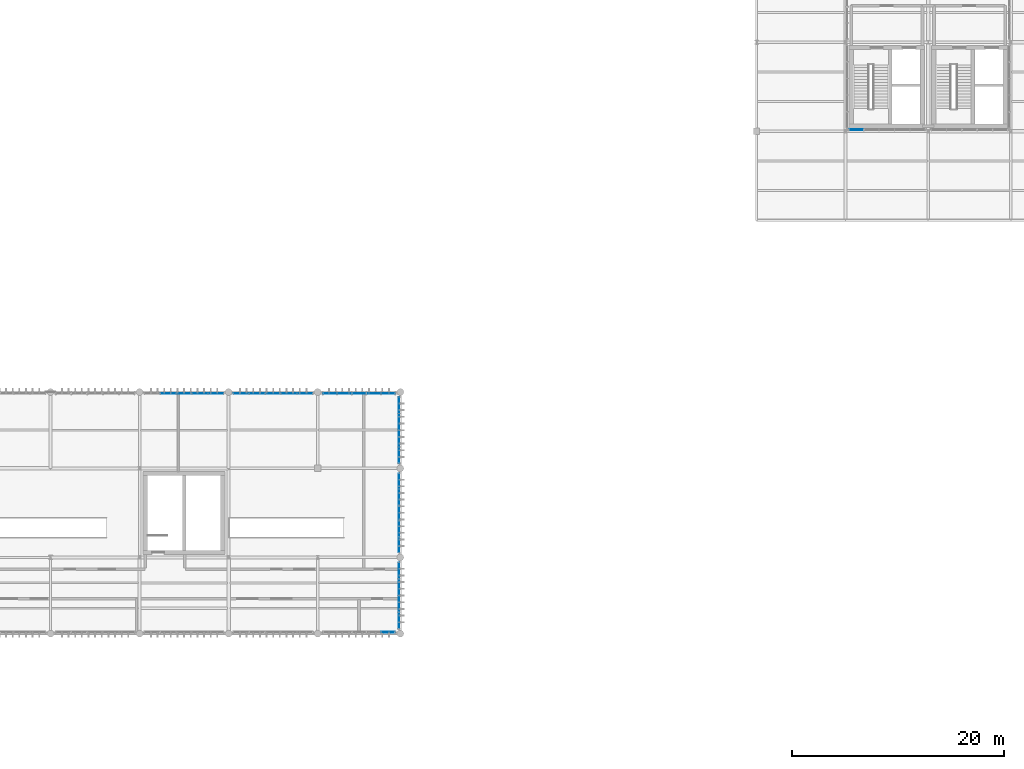
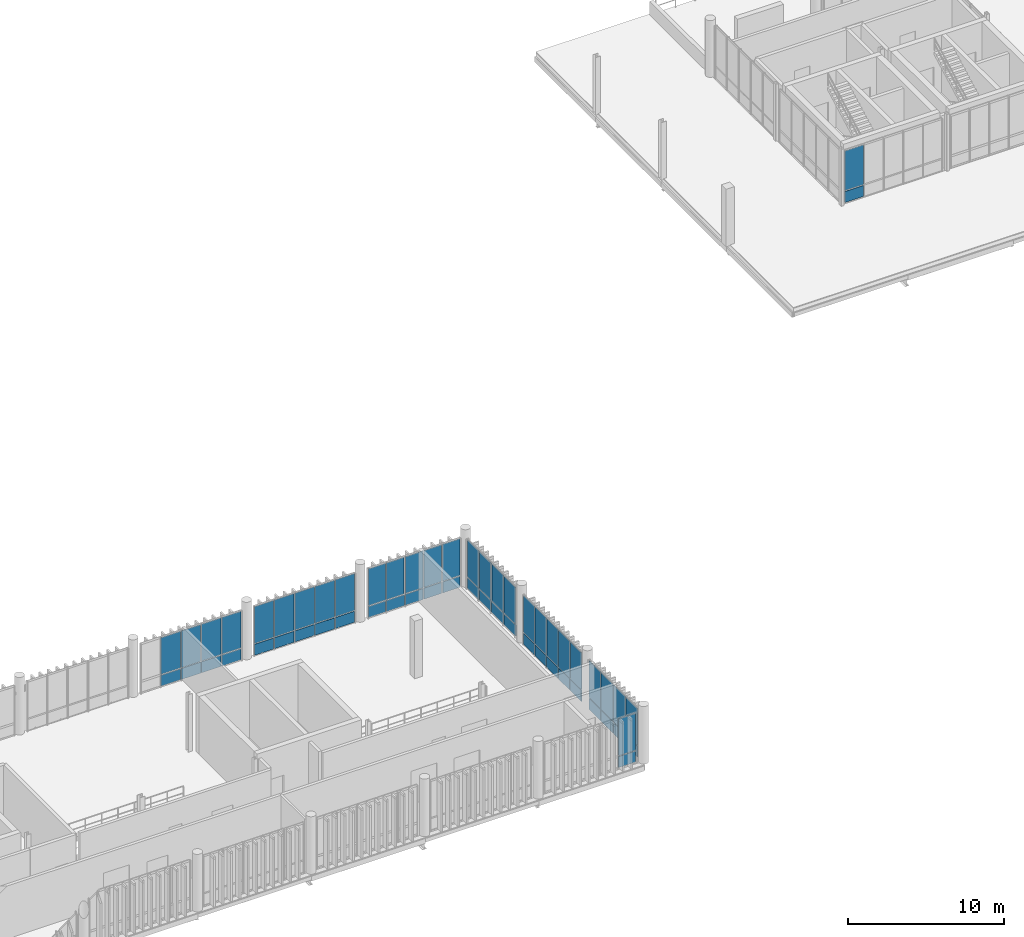
# One storey, part 53 of 66: 58 plates, 8 elements without a shape of their own.
"""IFC4 building model written with IfcOpenShell, lengths in metres."""

from ifc_helpers import new_model, si_unit, direction, frame, frame_2d, origin_with_axes, place, context, subcontext, project, spatial, rectangle, extrude, material, layer, layer_set, type_object, element, aggregate, save


model = new_model("IFC4")

# Units and contexts
model_context = context("Model", 3, precision=1e-05, world=origin_with_axes(), true_north=direction((0.0, 1.0)))
body_context = subcontext(model_context, "Body", "Model", "MODEL_VIEW")
ifc_project = project(units=[si_unit("LENGTHUNIT", "METRE"), si_unit("AREAUNIT", "SQUARE_METRE"), si_unit("VOLUMEUNIT", "CUBIC_METRE"), si_unit("PLANEANGLEUNIT", "RADIAN"), si_unit("MASSUNIT", "GRAM", prefix="KILO"), si_unit("THERMODYNAMICTEMPERATUREUNIT", "KELVIN")], contexts=[model_context])

# Site, building, storey
site_placement = place(None, origin_with_axes())
site = spatial("IfcSite", under=ifc_project, at=site_placement, CompositionType="ELEMENT")
building_placement = place(site_placement, origin_with_axes())
building = spatial("IfcBuilding", under=site, at=building_placement, Name="Montbau Bow Law Courts", CompositionType="ELEMENT")
storey_placement = place(building_placement, frame((0.0, 0.0, 34.5), z_axis=(0.0, 0.0, 1.0), x_axis=(1.0, 0.0, 0.0)))
storey = spatial("IfcBuildingStorey", under=building, at=storey_placement, Name="L07", CompositionType="ELEMENT", Elevation=34.5)

# Curtain wall, plate
ifc_material_1 = material(Name="Thermally Broken Extruded Aluminium AA 6063-T6", Category="aluminium")
curtain_wall_type_1 = type_object("IfcCurtainWallType", Name="CW-CRM-02", PredefinedType="NOTDEFINED", material=ifc_material_1)
curtain_wall_1_placement = place(None, frame((97.64, 39.14, 34.5), z_axis=(0.0, 0.0, 1.0), x_axis=(1.0, 0.0, 0.0)))
curtain_wall_1 = element("IfcCurtainWall", 1, at=curtain_wall_1_placement, inside=storey, type_object=curtain_wall_type_1, Name="CW-L07-246:cw_0246", PredefinedType="NOTDEFINED")
ifc_material_2 = material(Name="Triple-Glazed Low-E Argon Insulating Glass Unit", Category="glass")
ifc_layer_1 = layer(ifc_material_2, 0.044, Name="Curtain Panel", Category="glass")
ifc_layer_set_1 = layer_set([ifc_layer_1], Name="Triple-Glazed Low-E Argon Insulating Glass Unit")
plate_type_1 = type_object("IfcPlateType", Name="PL-CWP-01", PredefinedType="CURTAIN_PANEL", material=ifc_layer_set_1)
plate_1_placement = place(None, frame((103.215, 39.14, 35.482), z_axis=(0.0, -1.0, 0.0), x_axis=(1.0, 0.0, 0.0)))
plate_1 = element("IfcPlate", 2, at=plate_1_placement, type_object=plate_type_1, Name="CW-L07-246-P05-2:cw_0246_P05_2", PredefinedType="CURTAIN_PANEL", context=body_context, shape_type="SweptSolid", body=[
    extrude(rectangle(XDim=1.269, YDim=2.876, at=frame_2d((0.6345, 1.438), x_axis=(1.0, 0.0))), frame((0.0, 0.0, -0.022), z_axis=(0.0, 0.0, 1.0), x_axis=(1.0, 0.0, 0.0)), (0.0, 0.0, 1.0), 0.044),
])

# Curtain wall, plates
curtain_wall_2_placement = place(None, frame((80.84, 61.66, 34.5), z_axis=(0.0, 0.0, 1.0), x_axis=(1.0, 0.0, 0.0)))
curtain_wall_2 = element("IfcCurtainWall", 3, at=curtain_wall_2_placement, inside=storey, type_object=curtain_wall_type_1, Name="CW-L07-250:cw_0250", PredefinedType="NOTDEFINED")
plate_2_placement = place(None, frame((82.378, 61.66, 35.482), z_axis=(0.0, -1.0, 0.0), x_axis=(1.0, 0.0, 0.0)))
plate_2 = element("IfcPlate", 4, at=plate_2_placement, type_object=plate_type_1, Name="CW-L07-250-P02-2:cw_0250_P02_2", PredefinedType="CURTAIN_PANEL", context=body_context, shape_type="SweptSolid", body=[
    extrude(rectangle(XDim=1.436, YDim=2.876, at=frame_2d((0.718, 1.438), x_axis=(1.0, 0.0))), frame((0.0, 0.0, -0.022), z_axis=(0.0, 0.0, 1.0), x_axis=(1.0, 0.0, 0.0)), (0.0, 0.0, 1.0), 0.044),
])
plate_3_placement = place(None, frame((83.882, 61.66, 35.482), z_axis=(0.0, -1.0, 0.0), x_axis=(1.0, 0.0, 0.0)))
plate_3 = element("IfcPlate", 5, at=plate_3_placement, type_object=plate_type_1, Name="CW-L07-250-P03-2:cw_0250_P03_2", PredefinedType="CURTAIN_PANEL", context=body_context, shape_type="SweptSolid", body=[
    extrude(rectangle(XDim=1.436, YDim=2.876, at=frame_2d((0.718, 1.438), x_axis=(1.0, 0.0))), frame((0.0, 0.0, -0.022), z_axis=(0.0, 0.0, 1.0), x_axis=(1.0, 0.0, 0.0)), (0.0, 0.0, 1.0), 0.044),
])
plate_4_placement = place(None, frame((85.386, 61.66, 35.482), z_axis=(0.0, -1.0, 0.0), x_axis=(1.0, 0.0, 0.0)))
plate_4 = element("IfcPlate", 6, at=plate_4_placement, type_object=plate_type_1, Name="CW-L07-250-P04-2:cw_0250_P04_2", PredefinedType="CURTAIN_PANEL", context=body_context, shape_type="SweptSolid", body=[
    extrude(rectangle(XDim=1.436, YDim=2.876, at=frame_2d((0.718, 1.438), x_axis=(1.0, 0.0))), frame((0.0, 0.0, -0.022), z_axis=(0.0, 0.0, 1.0), x_axis=(1.0, 0.0, 0.0)), (0.0, 0.0, 1.0), 0.044),
])
plate_5_placement = place(None, frame((86.89, 61.66, 35.482), z_axis=(0.0, -1.0, 0.0), x_axis=(1.0, 0.0, 0.0)))
plate_5 = element("IfcPlate", 7, at=plate_5_placement, type_object=plate_type_1, Name="CW-L07-250-P05-2:cw_0250_P05_2", PredefinedType="CURTAIN_PANEL", context=body_context, shape_type="SweptSolid", body=[
    extrude(rectangle(XDim=1.403, YDim=2.876, at=frame_2d((0.7015, 1.438), x_axis=(1.0, 0.0))), frame((0.0, 0.0, -0.022), z_axis=(0.0, 0.0, 1.0), x_axis=(1.0, 0.0, 0.0)), (0.0, 0.0, 1.0), 0.044),
])

curtain_wall_3_placement = place(None, frame((89.24, 61.66, 34.5), z_axis=(0.0, 0.0, 1.0), x_axis=(1.0, 0.0, 0.0)))
curtain_wall_3 = element("IfcCurtainWall", 8, at=curtain_wall_3_placement, inside=storey, type_object=curtain_wall_type_1, Name="CW-L07-251:cw_0251", PredefinedType="NOTDEFINED")
plate_6_placement = place(None, frame((89.302, 61.66, 35.48), z_axis=(0.0, -1.0, 0.0), x_axis=(1.0, 0.0, 0.0)))
plate_6 = element("IfcPlate", 9, at=plate_6_placement, type_object=plate_type_1, Name="CW-L07-251-P01-2:cw_0251_P01_2", PredefinedType="CURTAIN_PANEL", context=body_context, shape_type="SweptSolid", body=[
    extrude(rectangle(XDim=1.41, YDim=2.882, at=frame_2d((0.705, 1.441), x_axis=(1.0, 0.0))), frame((0.0, 0.0, -0.022), z_axis=(0.0, 0.0, 1.0), x_axis=(1.0, 0.0, 0.0)), (0.0, 0.0, 1.0), 0.044),
])
plate_7_placement = place(None, frame((90.776, 61.66, 35.48), z_axis=(0.0, -1.0, 0.0), x_axis=(1.0, 0.0, 0.0)))
plate_7 = element("IfcPlate", 10, at=plate_7_placement, type_object=plate_type_1, Name="CW-L07-251-P02-2:cw_0251_P02_2", PredefinedType="CURTAIN_PANEL", context=body_context, shape_type="SweptSolid", body=[
    extrude(rectangle(XDim=1.44, YDim=2.882, at=frame_2d((0.72, 1.441), x_axis=(1.0, 0.0))), frame((0.0, 0.0, -0.022), z_axis=(0.0, 0.0, 1.0), x_axis=(1.0, 0.0, 0.0)), (0.0, 0.0, 1.0), 0.044),
])
plate_8_placement = place(None, frame((92.28, 61.66, 35.48), z_axis=(0.0, -1.0, 0.0), x_axis=(1.0, 0.0, 0.0)))
plate_8 = element("IfcPlate", 11, at=plate_8_placement, type_object=plate_type_1, Name="CW-L07-251-P03-2:cw_0251_P03_2", PredefinedType="CURTAIN_PANEL", context=body_context, shape_type="SweptSolid", body=[
    extrude(rectangle(XDim=1.44, YDim=2.882, at=frame_2d((0.72, 1.441), x_axis=(1.0, 0.0))), frame((0.0, 0.0, -0.022), z_axis=(0.0, 0.0, 1.0), x_axis=(1.0, 0.0, 0.0)), (0.0, 0.0, 1.0), 0.044),
])
plate_9_placement = place(None, frame((93.784, 61.66, 35.48), z_axis=(0.0, -1.0, 0.0), x_axis=(1.0, 0.0, 0.0)))
plate_9 = element("IfcPlate", 12, at=plate_9_placement, type_object=plate_type_1, Name="CW-L07-251-P04-2:cw_0251_P04_2", PredefinedType="CURTAIN_PANEL", context=body_context, shape_type="SweptSolid", body=[
    extrude(rectangle(XDim=1.44, YDim=2.882, at=frame_2d((0.72, 1.441), x_axis=(1.0, 0.0))), frame((0.0, 0.0, -0.022), z_axis=(0.0, 0.0, 1.0), x_axis=(1.0, 0.0, 0.0)), (0.0, 0.0, 1.0), 0.044),
])
plate_10_placement = place(None, frame((95.288, 61.66, 35.48), z_axis=(0.0, -1.0, 0.0), x_axis=(1.0, 0.0, 0.0)))
plate_10 = element("IfcPlate", 13, at=plate_10_placement, type_object=plate_type_1, Name="CW-L07-251-P05-2:cw_0251_P05_2", PredefinedType="CURTAIN_PANEL", context=body_context, shape_type="SweptSolid", body=[
    extrude(rectangle(XDim=1.41, YDim=2.882, at=frame_2d((0.705, 1.441), x_axis=(1.0, 0.0))), frame((0.0, 0.0, -0.022), z_axis=(0.0, 0.0, 1.0), x_axis=(1.0, 0.0, 0.0)), (0.0, 0.0, 1.0), 0.044),
])

curtain_wall_4_placement = place(None, frame((97.64, 61.66, 34.5), z_axis=(0.0, 0.0, 1.0), x_axis=(1.0, 0.0, 0.0)))
curtain_wall_4 = element("IfcCurtainWall", 14, at=curtain_wall_4_placement, inside=storey, type_object=curtain_wall_type_1, Name="CW-L07-252:cw_0252", PredefinedType="NOTDEFINED")
plate_11_placement = place(None, frame((97.716, 61.66, 35.482), z_axis=(0.0, -1.0, 0.0), x_axis=(1.0, 0.0, 0.0)))
plate_11 = element("IfcPlate", 15, at=plate_11_placement, type_object=plate_type_1, Name="CW-L07-252-P01-2:cw_0252_P01_2", PredefinedType="CURTAIN_PANEL", context=body_context, shape_type="SweptSolid", body=[
    extrude(rectangle(XDim=1.268, YDim=2.876, at=frame_2d((0.634, 1.438), x_axis=(1.0, 0.0))), frame((0.0, 0.0, -0.022), z_axis=(0.0, 0.0, 1.0), x_axis=(1.0, 0.0, 0.0)), (0.0, 0.0, 1.0), 0.044),
])
plate_12_placement = place(None, frame((99.063, 61.66, 35.482), z_axis=(0.0, -1.0, 0.0), x_axis=(1.0, 0.0, 0.0)))
plate_12 = element("IfcPlate", 16, at=plate_12_placement, type_object=plate_type_1, Name="CW-L07-252-P02-2:cw_0252_P02_2", PredefinedType="CURTAIN_PANEL", context=body_context, shape_type="SweptSolid", body=[
    extrude(rectangle(XDim=1.305, YDim=2.876, at=frame_2d((0.6525, 1.438), x_axis=(1.0, 0.0))), frame((0.0, 0.0, -0.022), z_axis=(0.0, 0.0, 1.0), x_axis=(1.0, 0.0, 0.0)), (0.0, 0.0, 1.0), 0.044),
])
plate_13_placement = place(None, frame((100.447, 61.66, 35.482), z_axis=(0.0, -1.0, 0.0), x_axis=(1.0, 0.0, 0.0)))
plate_13 = element("IfcPlate", 17, at=plate_13_placement, type_object=plate_type_1, Name="CW-L07-252-P03-2:cw_0252_P03_2", PredefinedType="CURTAIN_PANEL", context=body_context, shape_type="SweptSolid", body=[
    extrude(rectangle(XDim=1.306, YDim=2.876, at=frame_2d((0.653, 1.438), x_axis=(1.0, 0.0))), frame((0.0, 0.0, -0.022), z_axis=(0.0, 0.0, 1.0), x_axis=(1.0, 0.0, 0.0)), (0.0, 0.0, 1.0), 0.044),
])
plate_14_placement = place(None, frame((101.831, 61.66, 35.482), z_axis=(0.0, -1.0, 0.0), x_axis=(1.0, 0.0, 0.0)))
plate_14 = element("IfcPlate", 18, at=plate_14_placement, type_object=plate_type_1, Name="CW-L07-252-P04-2:cw_0252_P04_2", PredefinedType="CURTAIN_PANEL", context=body_context, shape_type="SweptSolid", body=[
    extrude(rectangle(XDim=1.306, YDim=2.876, at=frame_2d((0.653, 1.438), x_axis=(1.0, 0.0))), frame((0.0, 0.0, -0.022), z_axis=(0.0, 0.0, 1.0), x_axis=(1.0, 0.0, 0.0)), (0.0, 0.0, 1.0), 0.044),
])
plate_15_placement = place(None, frame((103.215, 61.66, 35.482), z_axis=(0.0, -1.0, 0.0), x_axis=(1.0, 0.0, 0.0)))
plate_15 = element("IfcPlate", 19, at=plate_15_placement, type_object=plate_type_1, Name="CW-L07-252-P05-2:cw_0252_P05_2", PredefinedType="CURTAIN_PANEL", context=body_context, shape_type="SweptSolid", body=[
    extrude(rectangle(XDim=1.269, YDim=2.876, at=frame_2d((0.6345, 1.438), x_axis=(1.0, 0.0))), frame((0.0, 0.0, -0.022), z_axis=(0.0, 0.0, 1.0), x_axis=(1.0, 0.0, 0.0)), (0.0, 0.0, 1.0), 0.044),
])

curtain_wall_5_placement = place(None, frame((104.86, 39.44, 34.5), z_axis=(0.0, 0.0, 1.0), x_axis=(1.0, 0.0, 0.0)))
curtain_wall_5 = element("IfcCurtainWall", 20, at=curtain_wall_5_placement, inside=storey, type_object=curtain_wall_type_1, Name="CW-L07-256:cw_0256", PredefinedType="NOTDEFINED")
plate_16_placement = place(None, frame((104.86, 39.508, 35.482), z_axis=(1.0, 0.0, 0.0), x_axis=(0.0, 1.0, 0.0)))
plate_16 = element("IfcPlate", 21, at=plate_16_placement, type_object=plate_type_1, Name="CW-L07-256-P01-2:cw_0256_P01_2", PredefinedType="CURTAIN_PANEL", context=body_context, shape_type="SweptSolid", body=[
    extrude(rectangle(XDim=1.478, YDim=2.876, at=frame_2d((0.739, 1.438), x_axis=(1.0, 0.0))), frame((0.0, 0.0, -0.022), z_axis=(0.0, 0.0, 1.0), x_axis=(1.0, 0.0, 0.0)), (0.0, 0.0, 1.0), 0.044),
])
plate_17_placement = place(None, frame((104.86, 41.055, 35.482), z_axis=(1.0, 0.0, 0.0), x_axis=(0.0, 1.0, 0.0)))
plate_17 = element("IfcPlate", 22, at=plate_17_placement, type_object=plate_type_1, Name="CW-L07-256-P02-2:cw_0256_P02_2", PredefinedType="CURTAIN_PANEL", context=body_context, shape_type="SweptSolid", body=[
    extrude(rectangle(XDim=1.511, YDim=2.876, at=frame_2d((0.7555, 1.438), x_axis=(1.0, 0.0))), frame((0.0, 0.0, -0.022), z_axis=(0.0, 0.0, 1.0), x_axis=(1.0, 0.0, 0.0)), (0.0, 0.0, 1.0), 0.044),
])
plate_18_placement = place(None, frame((104.86, 42.635, 35.482), z_axis=(1.0, 0.0, 0.0), x_axis=(0.0, 1.0, 0.0)))
plate_18 = element("IfcPlate", 23, at=plate_18_placement, type_object=plate_type_1, Name="CW-L07-256-P03-2:cw_0256_P03_2", PredefinedType="CURTAIN_PANEL", context=body_context, shape_type="SweptSolid", body=[
    extrude(rectangle(XDim=1.511, YDim=2.876, at=frame_2d((0.7555, 1.438), x_axis=(1.0, 0.0))), frame((0.0, 0.0, -0.022), z_axis=(0.0, 0.0, 1.0), x_axis=(1.0, 0.0, 0.0)), (0.0, 0.0, 1.0), 0.044),
])
plate_19_placement = place(None, frame((104.86, 44.214, 35.482), z_axis=(1.0, 0.0, 0.0), x_axis=(0.0, 1.0, 0.0)))
plate_19 = element("IfcPlate", 24, at=plate_19_placement, type_object=plate_type_1, Name="CW-L07-256-P04-2:cw_0256_P04_2", PredefinedType="CURTAIN_PANEL", context=body_context, shape_type="SweptSolid", body=[
    extrude(rectangle(XDim=1.48, YDim=2.876, at=frame_2d((0.74, 1.438), x_axis=(1.0, 0.0))), frame((0.0, 0.0, -0.022), z_axis=(0.0, 0.0, 1.0), x_axis=(1.0, 0.0, 0.0)), (0.0, 0.0, 1.0), 0.044),
])

curtain_wall_6_placement = place(None, frame((104.86, 46.64, 34.5), z_axis=(0.0, 0.0, 1.0), x_axis=(1.0, 0.0, 0.0)))
curtain_wall_6 = element("IfcCurtainWall", 25, at=curtain_wall_6_placement, inside=storey, type_object=curtain_wall_type_1, Name="CW-L07-257:cw_0257", PredefinedType="NOTDEFINED")
plate_20_placement = place(None, frame((104.86, 46.702, 35.48), z_axis=(1.0, 0.0, 0.0), x_axis=(0.0, 1.0, 0.0)))
plate_20 = element("IfcPlate", 26, at=plate_20_placement, type_object=plate_type_1, Name="CW-L07-257-P01-2:cw_0257_P01_2", PredefinedType="CURTAIN_PANEL", context=body_context, shape_type="SweptSolid", body=[
    extrude(rectangle(XDim=1.41, YDim=2.882, at=frame_2d((0.705, 1.441), x_axis=(1.0, 0.0))), frame((0.0, 0.0, -0.022), z_axis=(0.0, 0.0, 1.0), x_axis=(1.0, 0.0, 0.0)), (0.0, 0.0, 1.0), 0.044),
])
plate_21_placement = place(None, frame((104.86, 48.176, 35.48), z_axis=(1.0, 0.0, 0.0), x_axis=(0.0, 1.0, 0.0)))
plate_21 = element("IfcPlate", 27, at=plate_21_placement, type_object=plate_type_1, Name="CW-L07-257-P02-2:cw_0257_P02_2", PredefinedType="CURTAIN_PANEL", context=body_context, shape_type="SweptSolid", body=[
    extrude(rectangle(XDim=1.44, YDim=2.882, at=frame_2d((0.72, 1.441), x_axis=(1.0, 0.0))), frame((0.0, 0.0, -0.022), z_axis=(0.0, 0.0, 1.0), x_axis=(1.0, 0.0, 0.0)), (0.0, 0.0, 1.0), 0.044),
])
plate_22_placement = place(None, frame((104.86, 49.68, 35.48), z_axis=(1.0, 0.0, 0.0), x_axis=(0.0, 1.0, 0.0)))
plate_22 = element("IfcPlate", 28, at=plate_22_placement, type_object=plate_type_1, Name="CW-L07-257-P03-2:cw_0257_P03_2", PredefinedType="CURTAIN_PANEL", context=body_context, shape_type="SweptSolid", body=[
    extrude(rectangle(XDim=1.44, YDim=2.882, at=frame_2d((0.72, 1.441), x_axis=(1.0, 0.0))), frame((0.0, 0.0, -0.022), z_axis=(0.0, 0.0, 1.0), x_axis=(1.0, 0.0, 0.0)), (0.0, 0.0, 1.0), 0.044),
])
plate_23_placement = place(None, frame((104.86, 51.184, 35.48), z_axis=(1.0, 0.0, 0.0), x_axis=(0.0, 1.0, 0.0)))
plate_23 = element("IfcPlate", 29, at=plate_23_placement, type_object=plate_type_1, Name="CW-L07-257-P04-2:cw_0257_P04_2", PredefinedType="CURTAIN_PANEL", context=body_context, shape_type="SweptSolid", body=[
    extrude(rectangle(XDim=1.44, YDim=2.882, at=frame_2d((0.72, 1.441), x_axis=(1.0, 0.0))), frame((0.0, 0.0, -0.022), z_axis=(0.0, 0.0, 1.0), x_axis=(1.0, 0.0, 0.0)), (0.0, 0.0, 1.0), 0.044),
])
plate_24_placement = place(None, frame((104.86, 52.688, 35.48), z_axis=(1.0, 0.0, 0.0), x_axis=(0.0, 1.0, 0.0)))
plate_24 = element("IfcPlate", 30, at=plate_24_placement, type_object=plate_type_1, Name="CW-L07-257-P05-2:cw_0257_P05_2", PredefinedType="CURTAIN_PANEL", context=body_context, shape_type="SweptSolid", body=[
    extrude(rectangle(XDim=1.41, YDim=2.882, at=frame_2d((0.705, 1.441), x_axis=(1.0, 0.0))), frame((0.0, 0.0, -0.022), z_axis=(0.0, 0.0, 1.0), x_axis=(1.0, 0.0, 0.0)), (0.0, 0.0, 1.0), 0.044),
])

curtain_wall_7_placement = place(None, frame((104.86, 55.04, 34.5), z_axis=(0.0, 0.0, 1.0), x_axis=(1.0, 0.0, 0.0)))
curtain_wall_7 = element("IfcCurtainWall", 31, at=curtain_wall_7_placement, inside=storey, type_object=curtain_wall_type_1, Name="CW-L07-258:cw_0258", PredefinedType="NOTDEFINED")
plate_25_placement = place(None, frame((104.86, 55.116, 35.482), z_axis=(1.0, 0.0, 0.0), x_axis=(0.0, 1.0, 0.0)))
plate_25 = element("IfcPlate", 32, at=plate_25_placement, type_object=plate_type_1, Name="CW-L07-258-P01-2:cw_0258_P01_2", PredefinedType="CURTAIN_PANEL", context=body_context, shape_type="SweptSolid", body=[
    extrude(rectangle(XDim=1.464, YDim=2.876, at=frame_2d((0.732, 1.438), x_axis=(1.0, 0.0))), frame((0.0, 0.0, -0.022), z_axis=(0.0, 0.0, 1.0), x_axis=(1.0, 0.0, 0.0)), (0.0, 0.0, 1.0), 0.044),
])
plate_26_placement = place(None, frame((104.86, 56.66, 35.482), z_axis=(1.0, 0.0, 0.0), x_axis=(0.0, 1.0, 0.0)))
plate_26 = element("IfcPlate", 33, at=plate_26_placement, type_object=plate_type_1, Name="CW-L07-258-P02-2:cw_0258_P02_2", PredefinedType="CURTAIN_PANEL", context=body_context, shape_type="SweptSolid", body=[
    extrude(rectangle(XDim=1.501, YDim=2.876, at=frame_2d((0.7505, 1.438), x_axis=(1.0, 0.0))), frame((0.0, 0.0, -0.022), z_axis=(0.0, 0.0, 1.0), x_axis=(1.0, 0.0, 0.0)), (0.0, 0.0, 1.0), 0.044),
])
plate_27_placement = place(None, frame((104.86, 58.24, 35.482), z_axis=(1.0, 0.0, 0.0), x_axis=(0.0, 1.0, 0.0)))
plate_27 = element("IfcPlate", 34, at=plate_27_placement, type_object=plate_type_1, Name="CW-L07-258-P03-2:cw_0258_P03_2", PredefinedType="CURTAIN_PANEL", context=body_context, shape_type="SweptSolid", body=[
    extrude(rectangle(XDim=1.501, YDim=2.876, at=frame_2d((0.7505, 1.438), x_axis=(1.0, 0.0))), frame((0.0, 0.0, -0.022), z_axis=(0.0, 0.0, 1.0), x_axis=(1.0, 0.0, 0.0)), (0.0, 0.0, 1.0), 0.044),
])
plate_28_placement = place(None, frame((104.86, 59.819, 35.482), z_axis=(1.0, 0.0, 0.0), x_axis=(0.0, 1.0, 0.0)))
plate_28 = element("IfcPlate", 35, at=plate_28_placement, type_object=plate_type_1, Name="CW-L07-258-P04-2:cw_0258_P04_2", PredefinedType="CURTAIN_PANEL", context=body_context, shape_type="SweptSolid", body=[
    extrude(rectangle(XDim=1.465, YDim=2.876, at=frame_2d((0.7325, 1.438), x_axis=(1.0, 0.0))), frame((0.0, 0.0, -0.022), z_axis=(0.0, 0.0, 1.0), x_axis=(1.0, 0.0, 0.0)), (0.0, 0.0, 1.0), 0.044),
])

# Plate
ifc_material_3 = material(Name="Insulated Ceramic-Frit Spandrel Glazing Unit", Category="glass")
ifc_layer_2 = layer(ifc_material_3, 0.056, Name="Curtain Panel", Category="glass")
ifc_layer_set_2 = layer_set([ifc_layer_2], Name="Insulated Ceramic-Frit Spandrel Glazing Unit")
plate_type_2 = type_object("IfcPlateType", Name="PL-CWP-02", PredefinedType="CURTAIN_PANEL", material=ifc_layer_set_2)
plate_29_placement = place(None, frame((103.215, 39.14, 34.562), z_axis=(0.0, -1.0, 0.0), x_axis=(1.0, 0.0, 0.0)))
plate_29 = element("IfcPlate", 36, at=plate_29_placement, type_object=plate_type_2, Name="CW-L07-246-P05-1:cw_0246_P05_1", PredefinedType="CURTAIN_PANEL", context=body_context, shape_type="SweptSolid", body=[
    extrude(rectangle(XDim=1.269, YDim=0.856, at=frame_2d((0.6345, 0.428), x_axis=(1.0, 0.0))), frame((0.0, 0.0, -0.028), z_axis=(0.0, 0.0, 1.0), x_axis=(1.0, 0.0, 0.0)), (0.0, 0.0, 1.0), 0.056),
])

aggregate(curtain_wall_1, [plate_29, plate_1])

plate_30_placement = place(None, frame((82.378, 61.66, 34.562), z_axis=(0.0, -1.0, 0.0), x_axis=(1.0, 0.0, 0.0)))
plate_30 = element("IfcPlate", 37, at=plate_30_placement, type_object=plate_type_2, Name="CW-L07-250-P02-1:cw_0250_P02_1", PredefinedType="CURTAIN_PANEL", context=body_context, shape_type="SweptSolid", body=[
    extrude(rectangle(XDim=1.436, YDim=0.856, at=frame_2d((0.718, 0.428), x_axis=(1.0, 0.0))), frame((0.0, 0.0, -0.028), z_axis=(0.0, 0.0, 1.0), x_axis=(1.0, 0.0, 0.0)), (0.0, 0.0, 1.0), 0.056),
])

plate_31_placement = place(None, frame((83.882, 61.66, 34.562), z_axis=(0.0, -1.0, 0.0), x_axis=(1.0, 0.0, 0.0)))
plate_31 = element("IfcPlate", 38, at=plate_31_placement, type_object=plate_type_2, Name="CW-L07-250-P03-1:cw_0250_P03_1", PredefinedType="CURTAIN_PANEL", context=body_context, shape_type="SweptSolid", body=[
    extrude(rectangle(XDim=1.436, YDim=0.856, at=frame_2d((0.718, 0.428), x_axis=(1.0, 0.0))), frame((0.0, 0.0, -0.028), z_axis=(0.0, 0.0, 1.0), x_axis=(1.0, 0.0, 0.0)), (0.0, 0.0, 1.0), 0.056),
])

plate_32_placement = place(None, frame((85.386, 61.66, 34.562), z_axis=(0.0, -1.0, 0.0), x_axis=(1.0, 0.0, 0.0)))
plate_32 = element("IfcPlate", 39, at=plate_32_placement, type_object=plate_type_2, Name="CW-L07-250-P04-1:cw_0250_P04_1", PredefinedType="CURTAIN_PANEL", context=body_context, shape_type="SweptSolid", body=[
    extrude(rectangle(XDim=1.436, YDim=0.856, at=frame_2d((0.718, 0.428), x_axis=(1.0, 0.0))), frame((0.0, 0.0, -0.028), z_axis=(0.0, 0.0, 1.0), x_axis=(1.0, 0.0, 0.0)), (0.0, 0.0, 1.0), 0.056),
])

plate_33_placement = place(None, frame((86.89, 61.66, 34.562), z_axis=(0.0, -1.0, 0.0), x_axis=(1.0, 0.0, 0.0)))
plate_33 = element("IfcPlate", 40, at=plate_33_placement, type_object=plate_type_2, Name="CW-L07-250-P05-1:cw_0250_P05_1", PredefinedType="CURTAIN_PANEL", context=body_context, shape_type="SweptSolid", body=[
    extrude(rectangle(XDim=1.403, YDim=0.856, at=frame_2d((0.7015, 0.428), x_axis=(1.0, 0.0))), frame((0.0, 0.0, -0.028), z_axis=(0.0, 0.0, 1.0), x_axis=(1.0, 0.0, 0.0)), (0.0, 0.0, 1.0), 0.056),
])

aggregate(curtain_wall_2, [plate_30, plate_2, plate_31, plate_3, plate_32, plate_4, plate_33, plate_5])

plate_34_placement = place(None, frame((89.302, 61.66, 34.558), z_axis=(0.0, -1.0, 0.0), x_axis=(1.0, 0.0, 0.0)))
plate_34 = element("IfcPlate", 41, at=plate_34_placement, type_object=plate_type_2, Name="CW-L07-251-P01-1:cw_0251_P01_1", PredefinedType="CURTAIN_PANEL", context=body_context, shape_type="SweptSolid", body=[
    extrude(rectangle(XDim=1.41, YDim=0.862, at=frame_2d((0.705, 0.431), x_axis=(1.0, 0.0))), frame((0.0, 0.0, -0.028), z_axis=(0.0, 0.0, 1.0), x_axis=(1.0, 0.0, 0.0)), (0.0, 0.0, 1.0), 0.056),
])

plate_35_placement = place(None, frame((90.776, 61.66, 34.558), z_axis=(0.0, -1.0, 0.0), x_axis=(1.0, 0.0, 0.0)))
plate_35 = element("IfcPlate", 42, at=plate_35_placement, type_object=plate_type_2, Name="CW-L07-251-P02-1:cw_0251_P02_1", PredefinedType="CURTAIN_PANEL", context=body_context, shape_type="SweptSolid", body=[
    extrude(rectangle(XDim=1.44, YDim=0.862, at=frame_2d((0.72, 0.431), x_axis=(1.0, 0.0))), frame((0.0, 0.0, -0.028), z_axis=(0.0, 0.0, 1.0), x_axis=(1.0, 0.0, 0.0)), (0.0, 0.0, 1.0), 0.056),
])

plate_36_placement = place(None, frame((92.28, 61.66, 34.558), z_axis=(0.0, -1.0, 0.0), x_axis=(1.0, 0.0, 0.0)))
plate_36 = element("IfcPlate", 43, at=plate_36_placement, type_object=plate_type_2, Name="CW-L07-251-P03-1:cw_0251_P03_1", PredefinedType="CURTAIN_PANEL", context=body_context, shape_type="SweptSolid", body=[
    extrude(rectangle(XDim=1.44, YDim=0.862, at=frame_2d((0.72, 0.431), x_axis=(1.0, 0.0))), frame((0.0, 0.0, -0.028), z_axis=(0.0, 0.0, 1.0), x_axis=(1.0, 0.0, 0.0)), (0.0, 0.0, 1.0), 0.056),
])

plate_37_placement = place(None, frame((93.784, 61.66, 34.558), z_axis=(0.0, -1.0, 0.0), x_axis=(1.0, 0.0, 0.0)))
plate_37 = element("IfcPlate", 44, at=plate_37_placement, type_object=plate_type_2, Name="CW-L07-251-P04-1:cw_0251_P04_1", PredefinedType="CURTAIN_PANEL", context=body_context, shape_type="SweptSolid", body=[
    extrude(rectangle(XDim=1.44, YDim=0.862, at=frame_2d((0.72, 0.431), x_axis=(1.0, 0.0))), frame((0.0, 0.0, -0.028), z_axis=(0.0, 0.0, 1.0), x_axis=(1.0, 0.0, 0.0)), (0.0, 0.0, 1.0), 0.056),
])

plate_38_placement = place(None, frame((95.288, 61.66, 34.558), z_axis=(0.0, -1.0, 0.0), x_axis=(1.0, 0.0, 0.0)))
plate_38 = element("IfcPlate", 45, at=plate_38_placement, type_object=plate_type_2, Name="CW-L07-251-P05-1:cw_0251_P05_1", PredefinedType="CURTAIN_PANEL", context=body_context, shape_type="SweptSolid", body=[
    extrude(rectangle(XDim=1.41, YDim=0.862, at=frame_2d((0.705, 0.431), x_axis=(1.0, 0.0))), frame((0.0, 0.0, -0.028), z_axis=(0.0, 0.0, 1.0), x_axis=(1.0, 0.0, 0.0)), (0.0, 0.0, 1.0), 0.056),
])

aggregate(curtain_wall_3, [plate_34, plate_6, plate_35, plate_7, plate_36, plate_8, plate_37, plate_9, plate_38, plate_10])

plate_39_placement = place(None, frame((97.716, 61.66, 34.562), z_axis=(0.0, -1.0, 0.0), x_axis=(1.0, 0.0, 0.0)))
plate_39 = element("IfcPlate", 46, at=plate_39_placement, type_object=plate_type_2, Name="CW-L07-252-P01-1:cw_0252_P01_1", PredefinedType="CURTAIN_PANEL", context=body_context, shape_type="SweptSolid", body=[
    extrude(rectangle(XDim=1.268, YDim=0.856, at=frame_2d((0.634, 0.428), x_axis=(1.0, 0.0))), frame((0.0, 0.0, -0.028), z_axis=(0.0, 0.0, 1.0), x_axis=(1.0, 0.0, 0.0)), (0.0, 0.0, 1.0), 0.056),
])

plate_40_placement = place(None, frame((99.063, 61.66, 34.562), z_axis=(0.0, -1.0, 0.0), x_axis=(1.0, 0.0, 0.0)))
plate_40 = element("IfcPlate", 47, at=plate_40_placement, type_object=plate_type_2, Name="CW-L07-252-P02-1:cw_0252_P02_1", PredefinedType="CURTAIN_PANEL", context=body_context, shape_type="SweptSolid", body=[
    extrude(rectangle(XDim=1.305, YDim=0.856, at=frame_2d((0.6525, 0.428), x_axis=(1.0, 0.0))), frame((0.0, 0.0, -0.028), z_axis=(0.0, 0.0, 1.0), x_axis=(1.0, 0.0, 0.0)), (0.0, 0.0, 1.0), 0.056),
])

plate_41_placement = place(None, frame((100.447, 61.66, 34.562), z_axis=(0.0, -1.0, 0.0), x_axis=(1.0, 0.0, 0.0)))
plate_41 = element("IfcPlate", 48, at=plate_41_placement, type_object=plate_type_2, Name="CW-L07-252-P03-1:cw_0252_P03_1", PredefinedType="CURTAIN_PANEL", context=body_context, shape_type="SweptSolid", body=[
    extrude(rectangle(XDim=1.306, YDim=0.856, at=frame_2d((0.653, 0.428), x_axis=(1.0, 0.0))), frame((0.0, 0.0, -0.028), z_axis=(0.0, 0.0, 1.0), x_axis=(1.0, 0.0, 0.0)), (0.0, 0.0, 1.0), 0.056),
])

plate_42_placement = place(None, frame((101.831, 61.66, 34.562), z_axis=(0.0, -1.0, 0.0), x_axis=(1.0, 0.0, 0.0)))
plate_42 = element("IfcPlate", 49, at=plate_42_placement, type_object=plate_type_2, Name="CW-L07-252-P04-1:cw_0252_P04_1", PredefinedType="CURTAIN_PANEL", context=body_context, shape_type="SweptSolid", body=[
    extrude(rectangle(XDim=1.306, YDim=0.856, at=frame_2d((0.653, 0.428), x_axis=(1.0, 0.0))), frame((0.0, 0.0, -0.028), z_axis=(0.0, 0.0, 1.0), x_axis=(1.0, 0.0, 0.0)), (0.0, 0.0, 1.0), 0.056),
])

plate_43_placement = place(None, frame((103.215, 61.66, 34.562), z_axis=(0.0, -1.0, 0.0), x_axis=(1.0, 0.0, 0.0)))
plate_43 = element("IfcPlate", 50, at=plate_43_placement, type_object=plate_type_2, Name="CW-L07-252-P05-1:cw_0252_P05_1", PredefinedType="CURTAIN_PANEL", context=body_context, shape_type="SweptSolid", body=[
    extrude(rectangle(XDim=1.269, YDim=0.856, at=frame_2d((0.6345, 0.428), x_axis=(1.0, 0.0))), frame((0.0, 0.0, -0.028), z_axis=(0.0, 0.0, 1.0), x_axis=(1.0, 0.0, 0.0)), (0.0, 0.0, 1.0), 0.056),
])

aggregate(curtain_wall_4, [plate_39, plate_11, plate_40, plate_12, plate_41, plate_13, plate_42, plate_14, plate_43, plate_15])

plate_44_placement = place(None, frame((104.86, 39.508, 34.562), z_axis=(1.0, 0.0, 0.0), x_axis=(0.0, 1.0, 0.0)))
plate_44 = element("IfcPlate", 51, at=plate_44_placement, type_object=plate_type_2, Name="CW-L07-256-P01-1:cw_0256_P01_1", PredefinedType="CURTAIN_PANEL", context=body_context, shape_type="SweptSolid", body=[
    extrude(rectangle(XDim=1.478, YDim=0.856, at=frame_2d((0.739, 0.428), x_axis=(1.0, 0.0))), frame((0.0, 0.0, -0.028), z_axis=(0.0, 0.0, 1.0), x_axis=(1.0, 0.0, 0.0)), (0.0, 0.0, 1.0), 0.056),
])

plate_45_placement = place(None, frame((104.86, 41.055, 34.562), z_axis=(1.0, 0.0, 0.0), x_axis=(0.0, 1.0, 0.0)))
plate_45 = element("IfcPlate", 52, at=plate_45_placement, type_object=plate_type_2, Name="CW-L07-256-P02-1:cw_0256_P02_1", PredefinedType="CURTAIN_PANEL", context=body_context, shape_type="SweptSolid", body=[
    extrude(rectangle(XDim=1.511, YDim=0.856, at=frame_2d((0.7555, 0.428), x_axis=(1.0, 0.0))), frame((0.0, 0.0, -0.028), z_axis=(0.0, 0.0, 1.0), x_axis=(1.0, 0.0, 0.0)), (0.0, 0.0, 1.0), 0.056),
])

plate_46_placement = place(None, frame((104.86, 42.635, 34.562), z_axis=(1.0, 0.0, 0.0), x_axis=(0.0, 1.0, 0.0)))
plate_46 = element("IfcPlate", 53, at=plate_46_placement, type_object=plate_type_2, Name="CW-L07-256-P03-1:cw_0256_P03_1", PredefinedType="CURTAIN_PANEL", context=body_context, shape_type="SweptSolid", body=[
    extrude(rectangle(XDim=1.511, YDim=0.856, at=frame_2d((0.7555, 0.428), x_axis=(1.0, 0.0))), frame((0.0, 0.0, -0.028), z_axis=(0.0, 0.0, 1.0), x_axis=(1.0, 0.0, 0.0)), (0.0, 0.0, 1.0), 0.056),
])

plate_47_placement = place(None, frame((104.86, 44.214, 34.562), z_axis=(1.0, 0.0, 0.0), x_axis=(0.0, 1.0, 0.0)))
plate_47 = element("IfcPlate", 54, at=plate_47_placement, type_object=plate_type_2, Name="CW-L07-256-P04-1:cw_0256_P04_1", PredefinedType="CURTAIN_PANEL", context=body_context, shape_type="SweptSolid", body=[
    extrude(rectangle(XDim=1.48, YDim=0.856, at=frame_2d((0.74, 0.428), x_axis=(1.0, 0.0))), frame((0.0, 0.0, -0.028), z_axis=(0.0, 0.0, 1.0), x_axis=(1.0, 0.0, 0.0)), (0.0, 0.0, 1.0), 0.056),
])

aggregate(curtain_wall_5, [plate_44, plate_16, plate_45, plate_17, plate_46, plate_18, plate_47, plate_19])

plate_48_placement = place(None, frame((104.86, 46.702, 34.558), z_axis=(1.0, 0.0, 0.0), x_axis=(0.0, 1.0, 0.0)))
plate_48 = element("IfcPlate", 55, at=plate_48_placement, type_object=plate_type_2, Name="CW-L07-257-P01-1:cw_0257_P01_1", PredefinedType="CURTAIN_PANEL", context=body_context, shape_type="SweptSolid", body=[
    extrude(rectangle(XDim=1.41, YDim=0.862, at=frame_2d((0.705, 0.431), x_axis=(1.0, 0.0))), frame((0.0, 0.0, -0.028), z_axis=(0.0, 0.0, 1.0), x_axis=(1.0, 0.0, 0.0)), (0.0, 0.0, 1.0), 0.056),
])

plate_49_placement = place(None, frame((104.86, 48.176, 34.558), z_axis=(1.0, 0.0, 0.0), x_axis=(0.0, 1.0, 0.0)))
plate_49 = element("IfcPlate", 56, at=plate_49_placement, type_object=plate_type_2, Name="CW-L07-257-P02-1:cw_0257_P02_1", PredefinedType="CURTAIN_PANEL", context=body_context, shape_type="SweptSolid", body=[
    extrude(rectangle(XDim=1.44, YDim=0.862, at=frame_2d((0.72, 0.431), x_axis=(1.0, 0.0))), frame((0.0, 0.0, -0.028), z_axis=(0.0, 0.0, 1.0), x_axis=(1.0, 0.0, 0.0)), (0.0, 0.0, 1.0), 0.056),
])

plate_50_placement = place(None, frame((104.86, 49.68, 34.558), z_axis=(1.0, 0.0, 0.0), x_axis=(0.0, 1.0, 0.0)))
plate_50 = element("IfcPlate", 57, at=plate_50_placement, type_object=plate_type_2, Name="CW-L07-257-P03-1:cw_0257_P03_1", PredefinedType="CURTAIN_PANEL", context=body_context, shape_type="SweptSolid", body=[
    extrude(rectangle(XDim=1.44, YDim=0.862, at=frame_2d((0.72, 0.431), x_axis=(1.0, 0.0))), frame((0.0, 0.0, -0.028), z_axis=(0.0, 0.0, 1.0), x_axis=(1.0, 0.0, 0.0)), (0.0, 0.0, 1.0), 0.056),
])

plate_51_placement = place(None, frame((104.86, 51.184, 34.558), z_axis=(1.0, 0.0, 0.0), x_axis=(0.0, 1.0, 0.0)))
plate_51 = element("IfcPlate", 58, at=plate_51_placement, type_object=plate_type_2, Name="CW-L07-257-P04-1:cw_0257_P04_1", PredefinedType="CURTAIN_PANEL", context=body_context, shape_type="SweptSolid", body=[
    extrude(rectangle(XDim=1.44, YDim=0.862, at=frame_2d((0.72, 0.431), x_axis=(1.0, 0.0))), frame((0.0, 0.0, -0.028), z_axis=(0.0, 0.0, 1.0), x_axis=(1.0, 0.0, 0.0)), (0.0, 0.0, 1.0), 0.056),
])

plate_52_placement = place(None, frame((104.86, 52.688, 34.558), z_axis=(1.0, 0.0, 0.0), x_axis=(0.0, 1.0, 0.0)))
plate_52 = element("IfcPlate", 59, at=plate_52_placement, type_object=plate_type_2, Name="CW-L07-257-P05-1:cw_0257_P05_1", PredefinedType="CURTAIN_PANEL", context=body_context, shape_type="SweptSolid", body=[
    extrude(rectangle(XDim=1.41, YDim=0.862, at=frame_2d((0.705, 0.431), x_axis=(1.0, 0.0))), frame((0.0, 0.0, -0.028), z_axis=(0.0, 0.0, 1.0), x_axis=(1.0, 0.0, 0.0)), (0.0, 0.0, 1.0), 0.056),
])

aggregate(curtain_wall_6, [plate_48, plate_20, plate_49, plate_21, plate_50, plate_22, plate_51, plate_23, plate_52, plate_24])

plate_53_placement = place(None, frame((104.86, 55.116, 34.562), z_axis=(1.0, 0.0, 0.0), x_axis=(0.0, 1.0, 0.0)))
plate_53 = element("IfcPlate", 60, at=plate_53_placement, type_object=plate_type_2, Name="CW-L07-258-P01-1:cw_0258_P01_1", PredefinedType="CURTAIN_PANEL", context=body_context, shape_type="SweptSolid", body=[
    extrude(rectangle(XDim=1.464, YDim=0.856, at=frame_2d((0.732, 0.428), x_axis=(1.0, 0.0))), frame((0.0, 0.0, -0.028), z_axis=(0.0, 0.0, 1.0), x_axis=(1.0, 0.0, 0.0)), (0.0, 0.0, 1.0), 0.056),
])

plate_54_placement = place(None, frame((104.86, 56.66, 34.562), z_axis=(1.0, 0.0, 0.0), x_axis=(0.0, 1.0, 0.0)))
plate_54 = element("IfcPlate", 61, at=plate_54_placement, type_object=plate_type_2, Name="CW-L07-258-P02-1:cw_0258_P02_1", PredefinedType="CURTAIN_PANEL", context=body_context, shape_type="SweptSolid", body=[
    extrude(rectangle(XDim=1.501, YDim=0.856, at=frame_2d((0.7505, 0.428), x_axis=(1.0, 0.0))), frame((0.0, 0.0, -0.028), z_axis=(0.0, 0.0, 1.0), x_axis=(1.0, 0.0, 0.0)), (0.0, 0.0, 1.0), 0.056),
])

plate_55_placement = place(None, frame((104.86, 58.24, 34.562), z_axis=(1.0, 0.0, 0.0), x_axis=(0.0, 1.0, 0.0)))
plate_55 = element("IfcPlate", 62, at=plate_55_placement, type_object=plate_type_2, Name="CW-L07-258-P03-1:cw_0258_P03_1", PredefinedType="CURTAIN_PANEL", context=body_context, shape_type="SweptSolid", body=[
    extrude(rectangle(XDim=1.501, YDim=0.856, at=frame_2d((0.7505, 0.428), x_axis=(1.0, 0.0))), frame((0.0, 0.0, -0.028), z_axis=(0.0, 0.0, 1.0), x_axis=(1.0, 0.0, 0.0)), (0.0, 0.0, 1.0), 0.056),
])

plate_56_placement = place(None, frame((104.86, 59.819, 34.562), z_axis=(1.0, 0.0, 0.0), x_axis=(0.0, 1.0, 0.0)))
plate_56 = element("IfcPlate", 63, at=plate_56_placement, type_object=plate_type_2, Name="CW-L07-258-P04-1:cw_0258_P04_1", PredefinedType="CURTAIN_PANEL", context=body_context, shape_type="SweptSolid", body=[
    extrude(rectangle(XDim=1.465, YDim=0.856, at=frame_2d((0.7325, 0.428), x_axis=(1.0, 0.0))), frame((0.0, 0.0, -0.028), z_axis=(0.0, 0.0, 1.0), x_axis=(1.0, 0.0, 0.0)), (0.0, 0.0, 1.0), 0.056),
])

aggregate(curtain_wall_7, [plate_53, plate_25, plate_54, plate_26, plate_55, plate_27, plate_56, plate_28])

# Curtain wall, plates
curtain_wall_type_2 = type_object("IfcCurtainWallType", Name="CW-NCK-03", PredefinedType="NOTDEFINED", material=ifc_material_1)
curtain_wall_8_placement = place(None, frame((147.268, 86.54, 34.5), z_axis=(0.0, 0.0, 1.0), x_axis=(1.0, 0.0, 0.0)))
curtain_wall_8 = element("IfcCurtainWall", 64, at=curtain_wall_8_placement, inside=storey, type_object=curtain_wall_type_2, Name="CW-L07-365:cw_0365", PredefinedType="NOTDEFINED")
plate_57_placement = place(None, frame((147.33, 86.54, 34.558), z_axis=(0.0, -1.0, 0.0), x_axis=(1.0, 0.0, 0.0)))
plate_57 = element("IfcPlate", 65, at=plate_57_placement, type_object=plate_type_2, Name="CW-L07-365-P01-1:cw_0365_P01_1", PredefinedType="CURTAIN_PANEL", context=body_context, shape_type="SweptSolid", body=[
    extrude(rectangle(XDim=1.359, YDim=0.862, at=frame_2d((0.6795, 0.431), x_axis=(1.0, 0.0))), frame((0.0, 0.0, -0.028), z_axis=(0.0, 0.0, 1.0), x_axis=(1.0, 0.0, 0.0)), (0.0, 0.0, 1.0), 0.056),
])
ifc_material_4 = material(Name="Triple-Glazed Winter-Garden Vision Unit", Category="glass")
ifc_layer_3 = layer(ifc_material_4, 0.036, Name="Curtain Panel", Category="glass")
ifc_layer_set_3 = layer_set([ifc_layer_3], Name="Triple-Glazed Winter-Garden Vision Unit")
plate_type_3 = type_object("IfcPlateType", Name="PL-CWP-03", PredefinedType="CURTAIN_PANEL", material=ifc_layer_set_3)
plate_58_placement = place(None, frame((147.33, 86.54, 35.48), z_axis=(0.0, -1.0, 0.0), x_axis=(1.0, 0.0, 0.0)))
plate_58 = element("IfcPlate", 66, at=plate_58_placement, type_object=plate_type_3, Name="CW-L07-365-P01-2:cw_0365_P01_2", PredefinedType="CURTAIN_PANEL", context=body_context, shape_type="SweptSolid", body=[
    extrude(rectangle(XDim=1.359, YDim=3.102, at=frame_2d((0.6795, 1.551), x_axis=(1.0, 0.0))), frame((0.0, 0.0, -0.018), z_axis=(0.0, 0.0, 1.0), x_axis=(1.0, 0.0, 0.0)), (0.0, 0.0, 1.0), 0.036),
])
aggregate(curtain_wall_8, [plate_57, plate_58])

save(model, "model.ifc")
